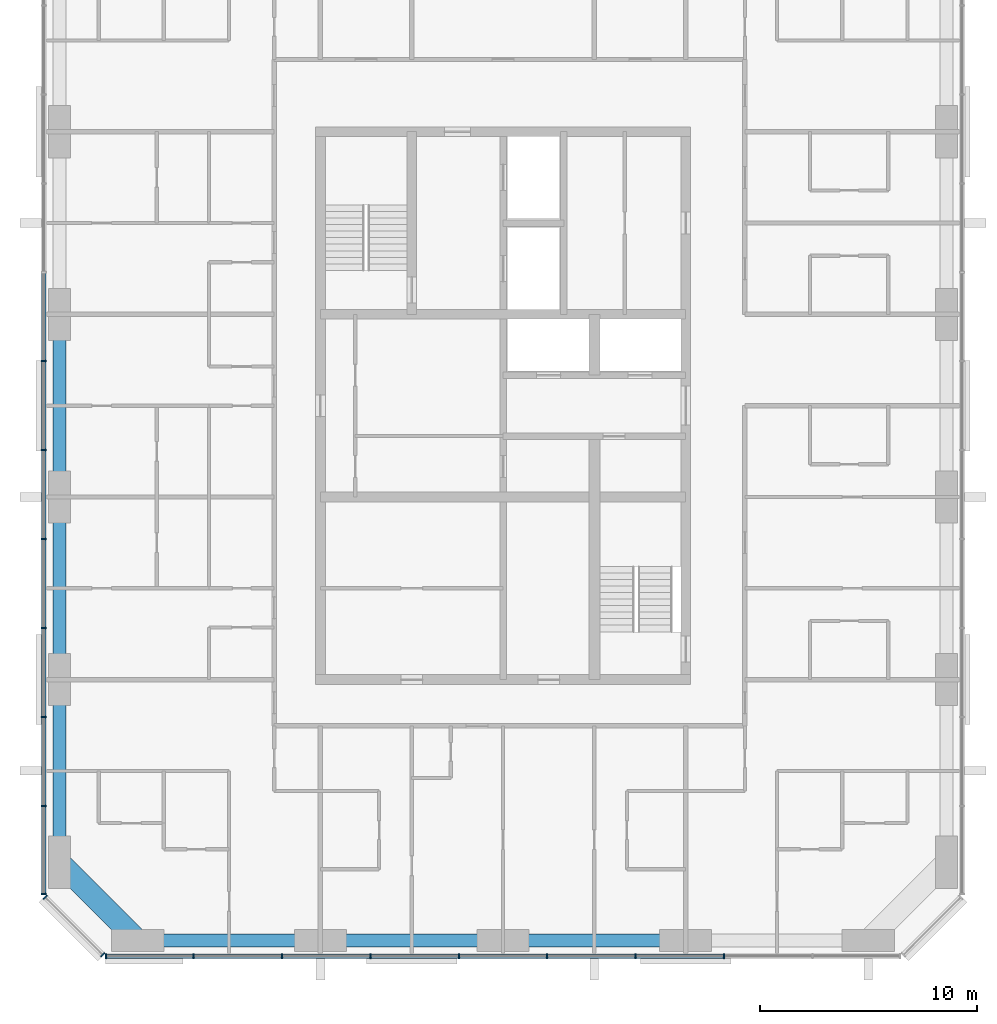
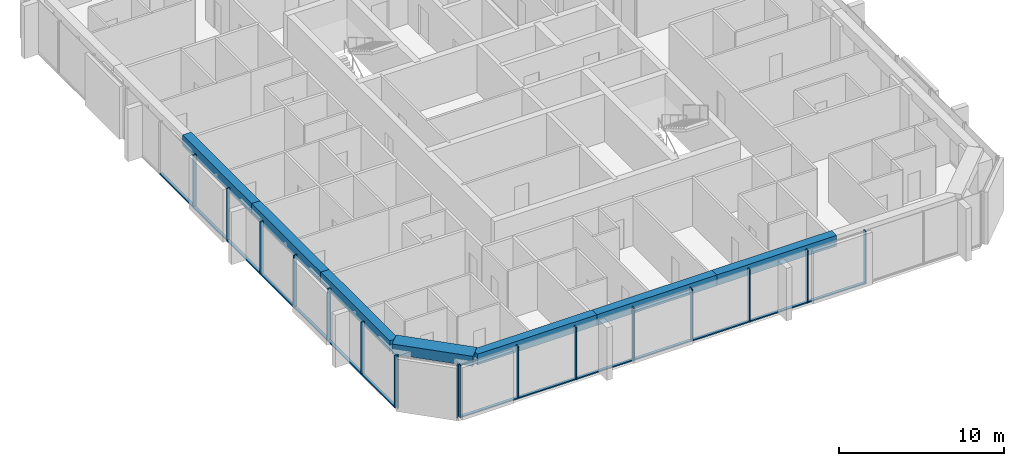
# One storey, part 2 of 12: 31 members, 7 beams, 3 elements without a shape of their own.
"""IFC4 building model written with IfcOpenShell, lengths in metres."""

from ifc_helpers import new_model, si_unit, direction, frame, origin, origin_2d, place, context, subcontext, project, spatial, rectangle, extrude, material, material_profile, profile_set, type_object, element, aggregate, save


model = new_model("IFC4")

# Units and contexts
model_context = context("Model", 3, precision=1e-05, world=origin(), true_north=direction((0.0, 1.0)))
body_context = subcontext(model_context, "Body", "Model", "MODEL_VIEW")
ifc_project = project(units=[si_unit("LENGTHUNIT", "METRE"), si_unit("AREAUNIT", "SQUARE_METRE"), si_unit("VOLUMEUNIT", "CUBIC_METRE"), si_unit("PLANEANGLEUNIT", "RADIAN"), si_unit("MASSUNIT", "GRAM", prefix="KILO")], contexts=[model_context])

# Site, building, storey
site_placement = place(None, origin())
site = spatial("IfcSite", under=ifc_project, at=site_placement, CompositionType="ELEMENT")
building_placement = place(site_placement, origin())
building = spatial("IfcBuilding", under=site, at=building_placement, Name="Dunama Terrace Hotel", CompositionType="ELEMENT")
storey_placement = place(building_placement, frame((0.0, 0.0, 252.89990234375)))
storey = spatial("IfcBuildingStorey", under=building, at=storey_placement, Name="L65", CompositionType="ELEMENT", Elevation=252.89990234375)

# Curtain wall, members
ifc_material_1 = material(Name="Aluminium curtain wall system", Category="aluminium")
curtain_wall_type = type_object("IfcCurtainWallType", Name="Unitised fritted glass wall CW-D", PredefinedType="NOTDEFINED", material=ifc_material_1)
curtain_wall_1_placement = place(storey_placement, origin())
curtain_wall_1 = element("IfcCurtainWall", 1, at=curtain_wall_1_placement, inside=storey, type_object=curtain_wall_type, Name="Unitised fritted glass wall CW-D L65", PredefinedType="NOTDEFINED")
ifc_material_2 = material(Name="Aluminium mullion", Category="aluminium")
ifc_material_profile_1 = material_profile(ifc_material_2, rectangle(XDim=0.070068359375, YDim=0.239990234375, at=origin_2d()), Name="CWD MULLION 70X240")
ifc_profile_set_1 = profile_set([ifc_material_profile_1], Name="Aluminium mullion")
member_type_1 = type_object("IfcMemberType", Name="CWD mullion 70x240", PredefinedType="MULLION", material=ifc_profile_set_1)
member_1_placement = place(storey_placement, frame((15.3349609375, 4.080078125, 0.0), z_axis=(0.0, 0.0, 1.0), x_axis=(1.0, 0.0, 0.0)))
member_1 = element("IfcMember", 2, at=member_1_placement, type_object=member_type_1, Name="CWD mullion", PredefinedType="MULLION", context=body_context, shape_type="SweptSolid", body=[
    extrude(rectangle(XDim=0.070068359375, YDim=0.239990234375, at=origin_2d()), origin(), (0.0, 0.0, 1.0), 3.900146484375),
])
member_2_placement = place(storey_placement, frame((19.366943359375, 4.080078125, 0.0), z_axis=(0.0, 0.0, 1.0), x_axis=(1.0, 0.0, 0.0)))
member_2 = element("IfcMember", 3, at=member_2_placement, type_object=member_type_1, Name="CWD mullion", PredefinedType="MULLION", context=body_context, shape_type="SweptSolid", body=[
    extrude(rectangle(XDim=0.070068359375, YDim=0.239990234375, at=origin_2d()), origin(), (0.0, 0.0, 1.0), 3.900146484375),
])
member_3_placement = place(storey_placement, frame((23.43310546875, 4.080078125, 0.0), z_axis=(0.0, 0.0, 1.0), x_axis=(1.0, 0.0, 0.0)))
member_3 = element("IfcMember", 4, at=member_3_placement, type_object=member_type_1, Name="CWD mullion", PredefinedType="MULLION", context=body_context, shape_type="SweptSolid", body=[
    extrude(rectangle(XDim=0.070068359375, YDim=0.239990234375, at=origin_2d()), origin(), (0.0, 0.0, 1.0), 3.900146484375),
])
member_4_placement = place(storey_placement, frame((27.5, 4.080078125, 0.0), z_axis=(0.0, 0.0, 1.0), x_axis=(1.0, 0.0, 0.0)))
member_4 = element("IfcMember", 5, at=member_4_placement, type_object=member_type_1, Name="CWD mullion", PredefinedType="MULLION", context=body_context, shape_type="SweptSolid", body=[
    extrude(rectangle(XDim=0.070068359375, YDim=0.239990234375, at=origin_2d()), origin(), (0.0, 0.0, 1.0), 3.900146484375),
])
member_5_placement = place(storey_placement, frame((31.56689453125, 4.080078125, 0.0), z_axis=(0.0, 0.0, 1.0), x_axis=(1.0, 0.0, 0.0)))
member_5 = element("IfcMember", 6, at=member_5_placement, type_object=member_type_1, Name="CWD mullion", PredefinedType="MULLION", context=body_context, shape_type="SweptSolid", body=[
    extrude(rectangle(XDim=0.070068359375, YDim=0.239990234375, at=origin_2d()), origin(), (0.0, 0.0, 1.0), 3.900146484375),
])
member_6_placement = place(storey_placement, frame((35.633056640625, 4.080078125, 0.0), z_axis=(0.0, 0.0, 1.0), x_axis=(1.0, 0.0, 0.0)))
member_6 = element("IfcMember", 7, at=member_6_placement, type_object=member_type_1, Name="CWD mullion", PredefinedType="MULLION", context=body_context, shape_type="SweptSolid", body=[
    extrude(rectangle(XDim=0.070068359375, YDim=0.239990234375, at=origin_2d()), origin(), (0.0, 0.0, 1.0), 3.900146484375),
])
member_7_placement = place(storey_placement, frame((39.699951171875, 4.080078125, 0.0), z_axis=(0.0, 0.0, 1.0), x_axis=(1.0, 0.0, 0.0)))
member_7 = element("IfcMember", 8, at=member_7_placement, type_object=member_type_1, Name="CWD mullion", PredefinedType="MULLION", context=body_context, shape_type="SweptSolid", body=[
    extrude(rectangle(XDim=0.070068359375, YDim=0.239990234375, at=origin_2d()), origin(), (0.0, 0.0, 1.0), 3.900146484375),
])
member_8_placement = place(storey_placement, frame((43.76708984375, 4.080078125, 0.0), z_axis=(0.0, 0.0, 1.0), x_axis=(1.0, 0.0, 0.0)))
member_8 = element("IfcMember", 9, at=member_8_placement, type_object=member_type_1, Name="CWD mullion", PredefinedType="MULLION", context=body_context, shape_type="SweptSolid", body=[
    extrude(rectangle(XDim=0.070068359375, YDim=0.239990234375, at=origin_2d()), origin(), (0.0, 0.0, 1.0), 3.900146484375),
])

curtain_wall_2_placement = place(storey_placement, origin())
curtain_wall_2 = element("IfcCurtainWall", 10, at=curtain_wall_2_placement, inside=storey, type_object=curtain_wall_type, Name="Unitised fritted glass wall CW-D L65", PredefinedType="NOTDEFINED")
member_9_placement = place(storey_placement, frame((12.47998046875, 31.445068359375, 0.0), z_axis=(0.0, 0.0, 1.0), x_axis=(0.0, -1.0, 0.0)))
member_9 = element("IfcMember", 11, at=member_9_placement, type_object=member_type_1, Name="CWD mullion", PredefinedType="MULLION", context=body_context, shape_type="SweptSolid", body=[
    extrude(rectangle(XDim=0.070068359375, YDim=0.239990234375, at=origin_2d()), origin(), (0.0, 0.0, 1.0), 3.900146484375),
])
member_10_placement = place(storey_placement, frame((12.47998046875, 27.35498046875, 0.0), z_axis=(0.0, 0.0, 1.0), x_axis=(0.0, -1.0, 0.0)))
member_10 = element("IfcMember", 12, at=member_10_placement, type_object=member_type_1, Name="CWD mullion", PredefinedType="MULLION", context=body_context, shape_type="SweptSolid", body=[
    extrude(rectangle(XDim=0.070068359375, YDim=0.239990234375, at=origin_2d()), origin(), (0.0, 0.0, 1.0), 3.900146484375),
])
member_11_placement = place(storey_placement, frame((12.47998046875, 23.263916015625, 0.0), z_axis=(0.0, 0.0, 1.0), x_axis=(0.0, -1.0, 0.0)))
member_11 = element("IfcMember", 13, at=member_11_placement, type_object=member_type_1, Name="CWD mullion", PredefinedType="MULLION", context=body_context, shape_type="SweptSolid", body=[
    extrude(rectangle(XDim=0.070068359375, YDim=0.239990234375, at=origin_2d()), origin(), (0.0, 0.0, 1.0), 3.900146484375),
])
member_12_placement = place(storey_placement, frame((12.47998046875, 19.173095703125, 0.0), z_axis=(0.0, 0.0, 1.0), x_axis=(0.0, -1.0, 0.0)))
member_12 = element("IfcMember", 14, at=member_12_placement, type_object=member_type_1, Name="CWD mullion", PredefinedType="MULLION", context=body_context, shape_type="SweptSolid", body=[
    extrude(rectangle(XDim=0.070068359375, YDim=0.239990234375, at=origin_2d()), origin(), (0.0, 0.0, 1.0), 3.900146484375),
])
member_13_placement = place(storey_placement, frame((12.47998046875, 15.08203125, 0.0), z_axis=(0.0, 0.0, 1.0), x_axis=(0.0, -1.0, 0.0)))
member_13 = element("IfcMember", 15, at=member_13_placement, type_object=member_type_1, Name="CWD mullion", PredefinedType="MULLION", context=body_context, shape_type="SweptSolid", body=[
    extrude(rectangle(XDim=0.070068359375, YDim=0.239990234375, at=origin_2d()), origin(), (0.0, 0.0, 1.0), 3.900146484375),
])
member_14_placement = place(storey_placement, frame((12.47998046875, 10.990966796875, 0.0), z_axis=(0.0, 0.0, 1.0), x_axis=(0.0, -1.0, 0.0)))
member_14 = element("IfcMember", 16, at=member_14_placement, type_object=member_type_1, Name="CWD mullion", PredefinedType="MULLION", context=body_context, shape_type="SweptSolid", body=[
    extrude(rectangle(XDim=0.070068359375, YDim=0.239990234375, at=origin_2d()), origin(), (0.0, 0.0, 1.0), 3.900146484375),
])
member_15_placement = place(storey_placement, frame((12.47998046875, 6.93505859375, 0.0), z_axis=(0.0, 0.0, 1.0), x_axis=(0.0, -1.0, 0.0)))
member_15 = element("IfcMember", 17, at=member_15_placement, type_object=member_type_1, Name="CWD mullion", PredefinedType="MULLION", context=body_context, shape_type="SweptSolid", body=[
    extrude(rectangle(XDim=0.070068359375, YDim=0.239990234375, at=origin_2d()), origin(), (0.0, 0.0, 1.0), 3.900146484375),
])

curtain_wall_3_placement = place(storey_placement, origin())
curtain_wall_3 = element("IfcCurtainWall", 18, at=curtain_wall_3_placement, inside=storey, type_object=curtain_wall_type, Name="Unitised fritted glass wall CW-D L65", PredefinedType="NOTDEFINED")
member_16_placement = place(storey_placement, frame((12.5400390625, 6.7900390625, 0.0), z_axis=(0.0, 0.0, 1.0), x_axis=(0.707106781187, -0.707106781187, 0.0)))
member_16 = element("IfcMember", 19, at=member_16_placement, type_object=member_type_1, Name="CWD mullion", PredefinedType="MULLION", context=body_context, shape_type="SweptSolid", body=[
    extrude(rectangle(XDim=0.070068359375, YDim=0.239990234375, at=origin_2d()), origin(), (0.0, 0.0, 1.0), 3.900146484375),
])
member_17_placement = place(storey_placement, frame((15.18994140625, 4.139892578125, 0.0), z_axis=(0.0, 0.0, 1.0), x_axis=(0.707106781187, -0.707106781187, 0.0)))
member_17 = element("IfcMember", 20, at=member_17_placement, type_object=member_type_1, Name="CWD mullion", PredefinedType="MULLION", context=body_context, shape_type="SweptSolid", body=[
    extrude(rectangle(XDim=0.070068359375, YDim=0.239990234375, at=origin_2d()), origin(), (0.0, 0.0, 1.0), 3.900146484375),
])
aggregate(curtain_wall_3, [member_16, member_17])

# Member
ifc_material_3 = material(Name="Aluminium transom", Category="aluminium")
ifc_material_profile_2 = material_profile(ifc_material_3, rectangle(XDim=0.199951171875, YDim=0.0849609375, at=origin_2d()), Name="CWD TRANSOM 200X85")
ifc_profile_set_2 = profile_set([ifc_material_profile_2], Name="Aluminium transom")
member_type_2 = type_object("IfcMemberType", Name="CWD transom 200x85", PredefinedType="USERDEFINED", material=ifc_profile_set_2)
member_18_placement = place(storey_placement, frame((15.3701171875, 4.080078125, 0.04248046875), z_axis=(1.0, 0.0, 0.0), x_axis=(0.0, 1.0, 0.0)))
member_18 = element("IfcMember", 21, at=member_18_placement, type_object=member_type_2, Name="CWD transom", ObjectType="TRANSOM", PredefinedType="USERDEFINED", context=body_context, shape_type="SweptSolid", body=[
    extrude(rectangle(XDim=0.199951171875, YDim=0.0849609375, at=origin_2d()), origin(), (0.0, 0.0, 1.0), 3.9619140625),
])

member_19_placement = place(storey_placement, frame((19.402099609375, 4.080078125, 0.04248046875), z_axis=(1.0, 0.0, 0.0), x_axis=(0.0, 1.0, 0.0)))
member_19 = element("IfcMember", 22, at=member_19_placement, type_object=member_type_2, Name="CWD transom", ObjectType="TRANSOM", PredefinedType="USERDEFINED", context=body_context, shape_type="SweptSolid", body=[
    extrude(rectangle(XDim=0.199951171875, YDim=0.0849609375, at=origin_2d()), origin(), (0.0, 0.0, 1.0), 3.995849609375),
])

member_20_placement = place(storey_placement, frame((23.468017578125, 4.080078125, 0.04248046875), z_axis=(1.0, 0.0, 0.0), x_axis=(0.0, 1.0, 0.0)))
member_20 = element("IfcMember", 23, at=member_20_placement, type_object=member_type_2, Name="CWD transom", ObjectType="TRANSOM", PredefinedType="USERDEFINED", context=body_context, shape_type="SweptSolid", body=[
    extrude(rectangle(XDim=0.199951171875, YDim=0.0849609375, at=origin_2d()), origin(), (0.0, 0.0, 1.0), 3.9970703125),
])

member_21_placement = place(storey_placement, frame((27.534912109375, 4.080078125, 0.04248046875), z_axis=(1.0, 0.0, 0.0), x_axis=(0.0, 1.0, 0.0)))
member_21 = element("IfcMember", 24, at=member_21_placement, type_object=member_type_2, Name="CWD transom", ObjectType="TRANSOM", PredefinedType="USERDEFINED", context=body_context, shape_type="SweptSolid", body=[
    extrude(rectangle(XDim=0.199951171875, YDim=0.0849609375, at=origin_2d()), origin(), (0.0, 0.0, 1.0), 3.9970703125),
])

member_22_placement = place(storey_placement, frame((31.60205078125, 4.080078125, 0.04248046875), z_axis=(1.0, 0.0, 0.0), x_axis=(0.0, 1.0, 0.0)))
member_22 = element("IfcMember", 25, at=member_22_placement, type_object=member_type_2, Name="CWD transom", ObjectType="TRANSOM", PredefinedType="USERDEFINED", context=body_context, shape_type="SweptSolid", body=[
    extrude(rectangle(XDim=0.199951171875, YDim=0.0849609375, at=origin_2d()), origin(), (0.0, 0.0, 1.0), 3.995849609375),
])

member_23_placement = place(storey_placement, frame((35.66796875, 4.080078125, 0.04248046875), z_axis=(1.0, 0.0, 0.0), x_axis=(0.0, 1.0, 0.0)))
member_23 = element("IfcMember", 26, at=member_23_placement, type_object=member_type_2, Name="CWD transom", ObjectType="TRANSOM", PredefinedType="USERDEFINED", context=body_context, shape_type="SweptSolid", body=[
    extrude(rectangle(XDim=0.199951171875, YDim=0.0849609375, at=origin_2d()), origin(), (0.0, 0.0, 1.0), 3.9970703125),
])

member_24_placement = place(storey_placement, frame((39.735107421875, 4.080078125, 0.04248046875), z_axis=(1.0, 0.0, 0.0), x_axis=(0.0, 1.0, 0.0)))
member_24 = element("IfcMember", 27, at=member_24_placement, type_object=member_type_2, Name="CWD transom", ObjectType="TRANSOM", PredefinedType="USERDEFINED", context=body_context, shape_type="SweptSolid", body=[
    extrude(rectangle(XDim=0.199951171875, YDim=0.0849609375, at=origin_2d()), origin(), (0.0, 0.0, 1.0), 3.996826171875),
])

aggregate(curtain_wall_1, [member_1, member_2, member_3, member_4, member_5, member_6, member_7, member_8, member_18, member_19, member_20, member_21, member_22, member_23, member_24])

member_25_placement = place(storey_placement, frame((12.47998046875, 35.5009765625, 0.04248046875), z_axis=(0.0, -1.0, 0.0), x_axis=(1.0, 0.0, 0.0)))
member_25 = element("IfcMember", 28, at=member_25_placement, type_object=member_type_2, Name="CWD transom", ObjectType="TRANSOM", PredefinedType="USERDEFINED", context=body_context, shape_type="SweptSolid", body=[
    extrude(rectangle(XDim=0.199951171875, YDim=0.0849609375, at=origin_2d()), origin(), (0.0, 0.0, 1.0), 4.02099609375),
])

member_26_placement = place(storey_placement, frame((12.47998046875, 31.409912109375, 0.04248046875), z_axis=(0.0, -1.0, 0.0), x_axis=(1.0, 0.0, 0.0)))
member_26 = element("IfcMember", 29, at=member_26_placement, type_object=member_type_2, Name="CWD transom", ObjectType="TRANSOM", PredefinedType="USERDEFINED", context=body_context, shape_type="SweptSolid", body=[
    extrude(rectangle(XDim=0.199951171875, YDim=0.0849609375, at=origin_2d()), origin(), (0.0, 0.0, 1.0), 4.02001953125),
])

member_27_placement = place(storey_placement, frame((12.47998046875, 27.320068359375, 0.04248046875), z_axis=(0.0, -1.0, 0.0), x_axis=(1.0, 0.0, 0.0)))
member_27 = element("IfcMember", 30, at=member_27_placement, type_object=member_type_2, Name="CWD transom", ObjectType="TRANSOM", PredefinedType="USERDEFINED", context=body_context, shape_type="SweptSolid", body=[
    extrude(rectangle(XDim=0.199951171875, YDim=0.0849609375, at=origin_2d()), origin(), (0.0, 0.0, 1.0), 4.02099609375),
])

member_28_placement = place(storey_placement, frame((12.47998046875, 23.22900390625, 0.04248046875), z_axis=(0.0, -1.0, 0.0), x_axis=(1.0, 0.0, 0.0)))
member_28 = element("IfcMember", 31, at=member_28_placement, type_object=member_type_2, Name="CWD transom", ObjectType="TRANSOM", PredefinedType="USERDEFINED", context=body_context, shape_type="SweptSolid", body=[
    extrude(rectangle(XDim=0.199951171875, YDim=0.0849609375, at=origin_2d()), origin(), (0.0, 0.0, 1.0), 4.02099609375),
])

member_29_placement = place(storey_placement, frame((12.47998046875, 19.137939453125, 0.04248046875), z_axis=(0.0, -1.0, 0.0), x_axis=(1.0, 0.0, 0.0)))
member_29 = element("IfcMember", 32, at=member_29_placement, type_object=member_type_2, Name="CWD transom", ObjectType="TRANSOM", PredefinedType="USERDEFINED", context=body_context, shape_type="SweptSolid", body=[
    extrude(rectangle(XDim=0.199951171875, YDim=0.0849609375, at=origin_2d()), origin(), (0.0, 0.0, 1.0), 4.02099609375),
])

member_30_placement = place(storey_placement, frame((12.47998046875, 15.047119140625, 0.04248046875), z_axis=(0.0, -1.0, 0.0), x_axis=(1.0, 0.0, 0.0)))
member_30 = element("IfcMember", 33, at=member_30_placement, type_object=member_type_2, Name="CWD transom", ObjectType="TRANSOM", PredefinedType="USERDEFINED", context=body_context, shape_type="SweptSolid", body=[
    extrude(rectangle(XDim=0.199951171875, YDim=0.0849609375, at=origin_2d()), origin(), (0.0, 0.0, 1.0), 4.021240234375),
])

member_31_placement = place(storey_placement, frame((12.47998046875, 10.9560546875, 0.04248046875), z_axis=(0.0, -1.0, 0.0), x_axis=(1.0, 0.0, 0.0)))
member_31 = element("IfcMember", 34, at=member_31_placement, type_object=member_type_2, Name="CWD transom", ObjectType="TRANSOM", PredefinedType="USERDEFINED", context=body_context, shape_type="SweptSolid", body=[
    extrude(rectangle(XDim=0.199951171875, YDim=0.0849609375, at=origin_2d()), origin(), (0.0, 0.0, 1.0), 3.986083984375),
])

aggregate(curtain_wall_2, [member_9, member_10, member_11, member_12, member_13, member_14, member_15, member_25, member_26, member_27, member_28, member_29, member_30, member_31])

# Beams
ifc_material_4 = material(Name="Concrete C50/60", Category="concrete")
ifc_material_profile_3 = material_profile(ifc_material_4, rectangle(XDim=1.0, YDim=0.75, at=origin_2d()), Name="RC 1000x750")
ifc_profile_set_3 = profile_set([ifc_material_profile_3], Name="Concrete C50/60")
beam_type_1 = type_object("IfcBeamType", Name="Edge beam RC 1000x750", PredefinedType="SPANDREL", material=ifc_profile_set_3)
beam_1_placement = place(storey_placement, frame((16.800048828125, 4.800048828125, 3.525146484375), z_axis=(-0.707130757816, 0.707082803744, 0.0), x_axis=(-0.707082803744, -0.707130757816, 0.0)))
element("IfcBeam", 35, at=beam_1_placement, inside=storey, type_object=beam_type_1, Name="Corner edge beam under L66", PredefinedType="SPANDREL", context=body_context, shape_type="SweptSolid", body=[
    extrude(rectangle(XDim=1.0, YDim=0.75, at=origin_2d()), origin(), (0.0, 0.0, 1.0), 5.091064453125),
])
ifc_material_5 = material(Name="Concrete C40/50", Category="concrete")
ifc_material_profile_4 = material_profile(ifc_material_5, rectangle(XDim=0.60009765625, YDim=0.800048828125, at=origin_2d()), Name="RC 600x800")
ifc_profile_set_4 = profile_set([ifc_material_profile_4], Name="Concrete C40/50")
beam_type_2 = type_object("IfcBeamType", Name="Edge beam RC 600x800", PredefinedType="SPANDREL", material=ifc_profile_set_4)
beam_2_placement = place(storey_placement, frame((13.199951171875, 8.39990234375, 3.5), z_axis=(0.0, 1.0, 0.0), x_axis=(-1.0, 0.0, 0.0)))
element("IfcBeam", 36, at=beam_2_placement, inside=storey, type_object=beam_type_2, Name="Edge beam under L66", PredefinedType="SPANDREL", context=body_context, shape_type="SweptSolid", body=[
    extrude(rectangle(XDim=0.60009765625, YDim=0.800048828125, at=origin_2d()), origin(), (0.0, 0.0, 1.0), 8.400146484375),
])
beam_3_placement = place(storey_placement, frame((13.199951171875, 16.800048828125, 3.5), z_axis=(0.0, 1.0, 0.0), x_axis=(-1.0, 0.0, 0.0)))
element("IfcBeam", 37, at=beam_3_placement, inside=storey, type_object=beam_type_2, Name="Edge beam under L66", PredefinedType="SPANDREL", context=body_context, shape_type="SweptSolid", body=[
    extrude(rectangle(XDim=0.60009765625, YDim=0.800048828125, at=origin_2d()), origin(), (0.0, 0.0, 1.0), 8.39990234375),
])
beam_4_placement = place(storey_placement, frame((13.199951171875, 25.199951171875, 3.5), z_axis=(0.0, 1.0, 0.0), x_axis=(-1.0, 0.0, 0.0)))
element("IfcBeam", 38, at=beam_4_placement, inside=storey, type_object=beam_type_2, Name="Edge beam under L66", PredefinedType="SPANDREL", context=body_context, shape_type="SweptSolid", body=[
    extrude(rectangle(XDim=0.60009765625, YDim=0.800048828125, at=origin_2d()), origin(), (0.0, 0.0, 1.0), 8.400146484375),
])
beam_5_placement = place(storey_placement, frame((16.800048828125, 4.800048828125, 3.5), z_axis=(1.0, 0.0, 0.0), x_axis=(0.0, 1.0, 0.0)))
element("IfcBeam", 39, at=beam_5_placement, inside=storey, type_object=beam_type_2, Name="Edge beam under L66", PredefinedType="SPANDREL", context=body_context, shape_type="SweptSolid", body=[
    extrude(rectangle(XDim=0.60009765625, YDim=0.800048828125, at=origin_2d()), origin(), (0.0, 0.0, 1.0), 8.39990234375),
])
beam_6_placement = place(storey_placement, frame((25.199951171875, 4.800048828125, 3.5), z_axis=(1.0, 0.0, 0.0), x_axis=(0.0, 1.0, 0.0)))
element("IfcBeam", 40, at=beam_6_placement, inside=storey, type_object=beam_type_2, Name="Edge beam under L66", PredefinedType="SPANDREL", context=body_context, shape_type="SweptSolid", body=[
    extrude(rectangle(XDim=0.60009765625, YDim=0.800048828125, at=origin_2d()), origin(), (0.0, 0.0, 1.0), 8.400146484375),
])
beam_7_placement = place(storey_placement, frame((33.60009765625, 4.800048828125, 3.5), z_axis=(1.0, 0.0, 0.0), x_axis=(0.0, 1.0, 0.0)))
element("IfcBeam", 41, at=beam_7_placement, inside=storey, type_object=beam_type_2, Name="Edge beam under L66", PredefinedType="SPANDREL", context=body_context, shape_type="SweptSolid", body=[
    extrude(rectangle(XDim=0.60009765625, YDim=0.800048828125, at=origin_2d()), origin(), (0.0, 0.0, 1.0), 8.39990234375),
])

save(model, "model.ifc")
